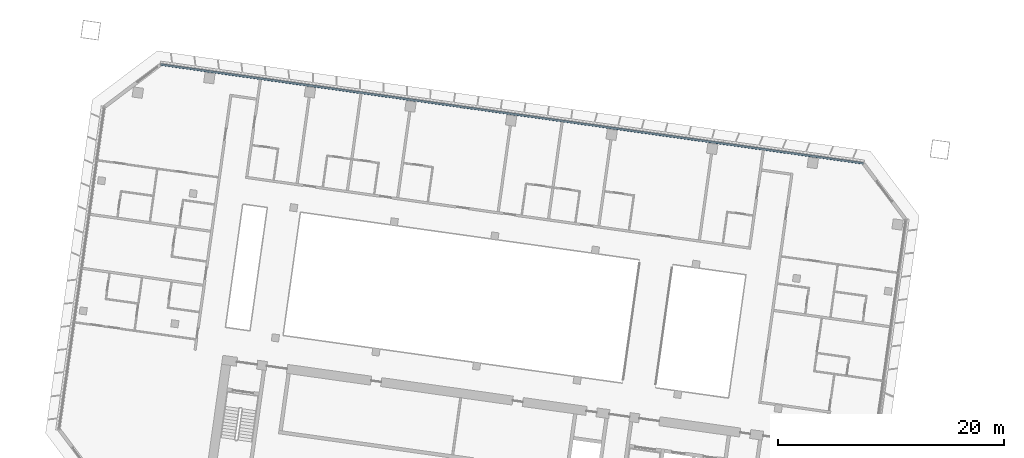
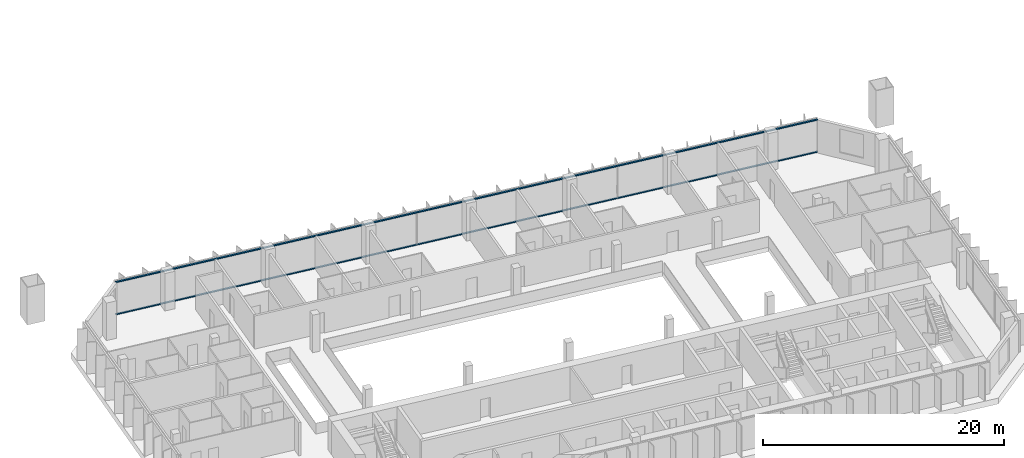
# One storey, part 4 of 26: 2 members, 1 element without a shape of its own.
"""IFC4 building model written with IfcOpenShell, lengths in metres."""

from ifc_helpers import new_model, si_unit, direction, frame, origin, origin_2d, place, context, subcontext, project, spatial, rectangle, extrude, material, material_profile, profile_set, type_object, element, aggregate, save


model = new_model("IFC4")

# Units and contexts
model_context = context("Model", 3, precision=1e-05, world=origin(), true_north=direction((0.0, 1.0)))
body_context = subcontext(model_context, "Body", "Model", "MODEL_VIEW")
ifc_project = project(units=[si_unit("LENGTHUNIT", "METRE"), si_unit("AREAUNIT", "SQUARE_METRE"), si_unit("VOLUMEUNIT", "CUBIC_METRE"), si_unit("PLANEANGLEUNIT", "RADIAN"), si_unit("MASSUNIT", "GRAM", prefix="KILO")], contexts=[model_context])

# Site, building, storey
site_placement = place(None, origin())
site = spatial("IfcSite", under=ifc_project, at=site_placement, CompositionType="ELEMENT")
building_placement = place(site_placement, origin())
building = spatial("IfcBuilding", under=site, at=building_placement, Name="Mirante Cascada Hotel Towers", CompositionType="ELEMENT")
storey_placement = place(building_placement, frame((0.0, 0.0, 113.9)))
storey = spatial("IfcBuildingStorey", under=building, at=storey_placement, Name="L25", CompositionType="ELEMENT", Elevation=113.9)

# Curtain wall, members
ifc_material_1 = material(Name="Aluminium mullion and transom frame with clear laminated glass", Category="aluminium")
curtain_wall_type = type_object("IfcCurtainWallType", Name="Ribbon curtain wall ECW1", PredefinedType="NOTDEFINED", material=ifc_material_1)
curtain_wall_placement = place(storey_placement, origin())
curtain_wall = element("IfcCurtainWall", 1, at=curtain_wall_placement, inside=storey, type_object=curtain_wall_type, Name="Front ribbon wall T1 L25", PredefinedType="NOTDEFINED")
ifc_material_2 = material(Name="Anodised aluminium extrusion", Category="aluminium")
ifc_material_profile = material_profile(ifc_material_2, rectangle(XDim=0.16, YDim=0.1, at=origin_2d()), Name="ECW1 TRANSOM 100x160")
ifc_profile_set = profile_set([ifc_material_profile], Name="Anodised aluminium extrusion")
member_type = type_object("IfcMemberType", Name="ECW1 transom 100x160", PredefinedType="USERDEFINED", material=ifc_profile_set)
member_1_placement = place(storey_placement, frame((-94.1582, 26.0521, 0.05), z_axis=(0.9902681, -0.1391728, 0.0), x_axis=(0.1391728, 0.9902681, 0.0)))
member_1 = element("IfcMember", 2, at=member_1_placement, type_object=member_type, Name="ECW1 sill transom", ObjectType="TRANSOM", PredefinedType="USERDEFINED", context=body_context, shape_type="SweptSolid", body=[
    extrude(rectangle(XDim=0.16, YDim=0.1, at=origin_2d()), origin(), (0.0, 0.0, 1.0), 62.8758),
])
member_2_placement = place(storey_placement, frame((-94.1582, 26.0521, 3.3), z_axis=(0.9902681, -0.1391728, 0.0), x_axis=(0.1391728, 0.9902681, 0.0)))
member_2 = element("IfcMember", 3, at=member_2_placement, type_object=member_type, Name="ECW1 head transom", ObjectType="TRANSOM", PredefinedType="USERDEFINED", context=body_context, shape_type="SweptSolid", body=[
    extrude(rectangle(XDim=0.16, YDim=0.1, at=origin_2d()), origin(), (0.0, 0.0, 1.0), 62.8758),
])
aggregate(curtain_wall, [member_1, member_2])

save(model, "model.ifc")
